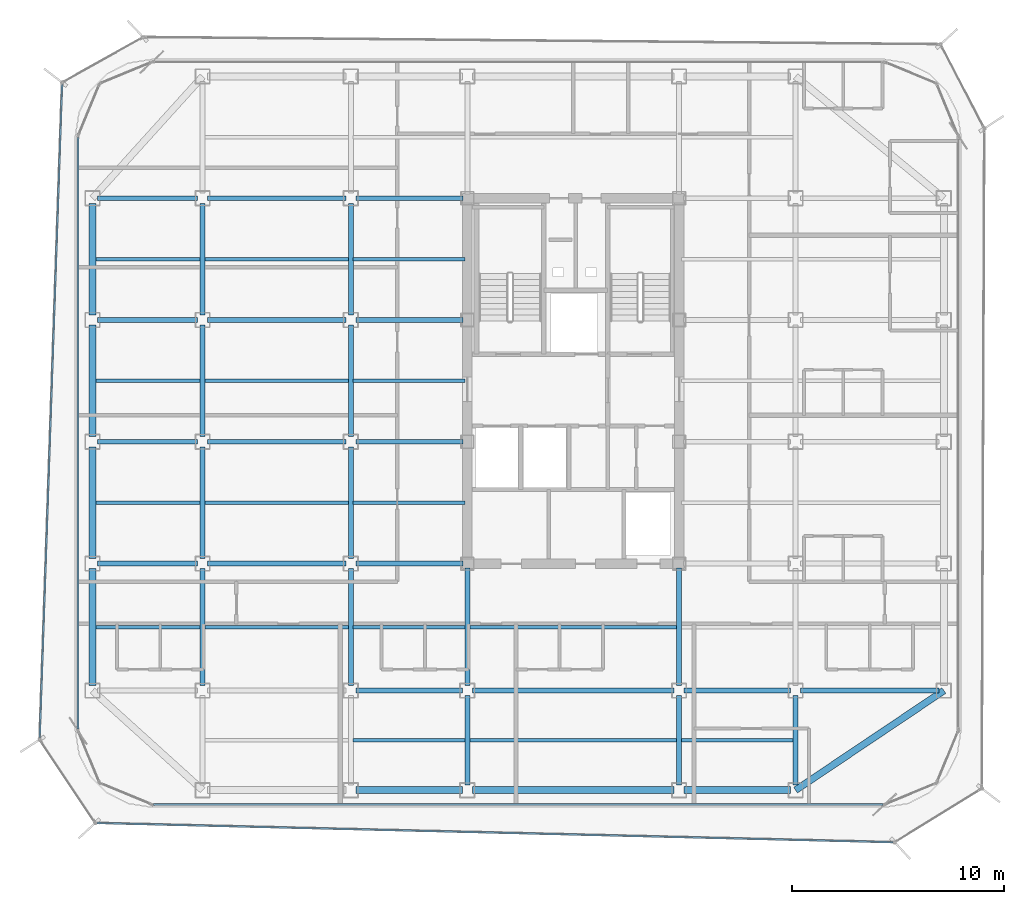
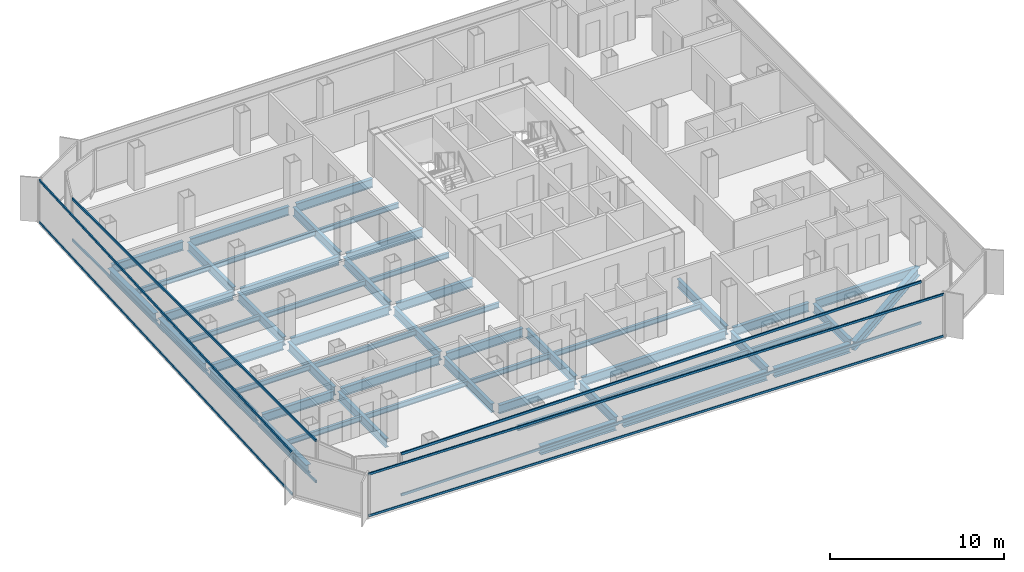
# One storey, part 3 of 15: 53 beams, 8 members, 4 elements without a shape of their own.
"""IFC4 building model written with IfcOpenShell, lengths in metres."""

from ifc_helpers import new_model, si_unit, direction, frame, origin, origin_2d, place, context, subcontext, project, spatial, hollow_rectangle, i_section, extrude, source, transform, mapped, material, layer, layer_set, material_profile, profile_set, type_object, element, aggregate, save


model = new_model("IFC4")

# Units and contexts
model_context = context("Model", 3, precision=1e-05, world=origin(), true_north=direction((0.0, 1.0)))
body_context = subcontext(model_context, "Body", "Model", "MODEL_VIEW")
ifc_project = project(units=[si_unit("LENGTHUNIT", "METRE"), si_unit("AREAUNIT", "SQUARE_METRE"), si_unit("VOLUMEUNIT", "CUBIC_METRE"), si_unit("PLANEANGLEUNIT", "RADIAN"), si_unit("MASSUNIT", "GRAM", prefix="KILO")], contexts=[model_context])

# Site, building, storey
site_placement = place(None, origin())
site = spatial("IfcSite", under=ifc_project, at=site_placement, CompositionType="ELEMENT")
building_placement = place(site_placement, origin())
building = spatial("IfcBuilding", under=site, at=building_placement, Name="Kolveth Station Tower", CompositionType="ELEMENT")
storey_placement = place(building_placement, frame((0.0, 0.0, 165.699951171875)))
storey = spatial("IfcBuildingStorey", under=building, at=storey_placement, Name="L46", CompositionType="ELEMENT", Elevation=165.699951171875)

# Beams
ifc_material_1 = material(Name="Steel S355", Category="steel")
ifc_material_profile_1 = material_profile(ifc_material_1, i_section(OverallWidth=0.323974609375, OverallDepth=0.611083984375, WebThickness=0.0126953125, FlangeThickness=0.01904296875, at=origin_2d()), Name="W610x155")
ifc_profile_set_1 = profile_set([ifc_material_profile_1], Name="Steel S355")
beam_type_1 = type_object("IfcBeamType", Name="Beam_SP2", PredefinedType="SPANDREL", material=ifc_profile_set_1)
shared_shape_1 = source(origin(), body_context, "Body", "SweptSolid", [
    extrude(i_section(OverallWidth=0.323974609375, OverallDepth=0.611083984375, WebThickness=0.0126953125, FlangeThickness=0.01904296875, at=origin_2d()), origin(), (0.0, 0.0, 1.0), 5.02001953125),
])
for number, where, z_axis, x_axis, name in (
    (1, (13.239990234375, 0.800048828125, -0.555419921875), (1.0, 0.0, 0.0), (0.0, 1.0, 0.0), "L46 Perimeter Spandrel BM-L46-PS-2"),
    (2, (28.739990234375, 0.800048828125, -0.555419921875), (1.0, 0.0, 0.0), (0.0, 1.0, 0.0), "L46 Perimeter Spandrel BM-L46-PS-4"),
):
    element("IfcBeam", number, at=place(storey_placement, frame(where, z_axis=z_axis, x_axis=x_axis)), inside=storey, type_object=beam_type_1, Name=name, PredefinedType="SPANDREL", context=body_context, shape_type="MappedRepresentation", body=[
        mapped(shared_shape_1, transform((0.0, 0.0, 0.0), x_axis=(1.0, 0.0, 0.0), y_axis=(0.0, 1.0, 0.0), z_axis=(0.0, 0.0, 1.0), scale=1.0)),
    ])
shared_shape_2 = source(origin(), body_context, "Body", "SweptSolid", [
    extrude(i_section(OverallWidth=0.323974609375, OverallDepth=0.611083984375, WebThickness=0.0126953125, FlangeThickness=0.01904296875, at=origin_2d()), origin(), (0.0, 0.0, 1.0), 9.52001953125),
])
beam_1_placement = place(storey_placement, frame((18.739990234375, 0.800048828125, -0.555419921875), z_axis=(1.0, 0.0, 0.0), x_axis=(0.0, 1.0, 0.0)))
element("IfcBeam", 3, at=beam_1_placement, inside=storey, type_object=beam_type_1, Name="L46 Perimeter Spandrel BM-L46-PS-3", PredefinedType="SPANDREL", context=body_context, shape_type="MappedRepresentation", body=[
    mapped(shared_shape_2, transform((0.0, 0.0, 0.0), x_axis=(1.0, 0.0, 0.0), y_axis=(0.0, 1.0, 0.0), z_axis=(0.0, 0.0, 1.0), scale=1.0)),
])
shared_shape_3 = source(origin(), body_context, "Body", "SweptSolid", [
    extrude(i_section(OverallWidth=0.323974609375, OverallDepth=0.611083984375, WebThickness=0.0126953125, FlangeThickness=0.01904296875, at=origin_2d()), origin(), (0.0, 0.0, 1.0), 5.52001953125),
])
beam_2_placement = place(storey_placement, frame((0.800048828125, 5.739990234375, -0.555419921875), z_axis=(0.0, 1.0, 0.0), x_axis=(-1.0, 0.0, 0.0)))
element("IfcBeam", 4, at=beam_2_placement, inside=storey, type_object=beam_type_1, Name="L46 Perimeter Spandrel BM-L46-PW-1", PredefinedType="SPANDREL", context=body_context, shape_type="MappedRepresentation", body=[
    mapped(shared_shape_3, transform((0.0, 0.0, 0.0), x_axis=(1.0, 0.0, 0.0), y_axis=(0.0, 1.0, 0.0), z_axis=(0.0, 0.0, 1.0), scale=1.0)),
])
shared_shape_4 = source(origin(), body_context, "Body", "SweptSolid", [
    extrude(i_section(OverallWidth=0.323974609375, OverallDepth=0.611083984375, WebThickness=0.0126953125, FlangeThickness=0.01904296875, at=origin_2d()), origin(), (0.0, 0.0, 1.0), 5.27001953125),
])
for number, where, z_axis, x_axis, name in (
    (5, (0.800048828125, 11.739990234375, -0.555419921875), (0.0, 1.0, 0.0), (-1.0, 0.0, 0.0), "L46 Perimeter Spandrel BM-L46-PW-2"),
    (6, (0.800048828125, 17.489990234375, -0.555419921875), (0.0, 1.0, 0.0), (-1.0, 0.0, 0.0), "L46 Perimeter Spandrel BM-L46-PW-3"),
    (7, (0.800048828125, 23.239990234375, -0.555419921875), (0.0, 1.0, 0.0), (-1.0, 0.0, 0.0), "L46 Perimeter Spandrel BM-L46-PW-4"),
):
    element("IfcBeam", number, at=place(storey_placement, frame(where, z_axis=z_axis, x_axis=x_axis)), inside=storey, type_object=beam_type_1, Name=name, PredefinedType="SPANDREL", context=body_context, shape_type="MappedRepresentation", body=[
        mapped(shared_shape_4, transform((0.0, 0.0, 0.0), x_axis=(1.0, 0.0, 0.0), y_axis=(0.0, 1.0, 0.0), z_axis=(0.0, 0.0, 1.0), scale=1.0)),
    ])
shared_shape_5 = source(origin(), body_context, "Body", "SweptSolid", [
    extrude(i_section(OverallWidth=0.323974609375, OverallDepth=0.611083984375, WebThickness=0.0126953125, FlangeThickness=0.01904296875, at=origin_2d()), origin(), (0.0, 0.0, 1.0), 8.431396484375),
])
beam_3_placement = place(storey_placement, frame((34.0, 0.800048828125, -0.555419921875), z_axis=(0.830223811004, 0.557430196206, 0.0), x_axis=(-0.557430196206, 0.830223811004, 0.0)))
element("IfcBeam", 8, at=beam_3_placement, inside=storey, type_object=beam_type_1, Name="L46 Corner Edge Girder BM-L46-CNR-SE", PredefinedType="SPANDREL", context=body_context, shape_type="MappedRepresentation", body=[
    mapped(shared_shape_5, transform((0.0, 0.0, 0.0), x_axis=(1.0, 0.0, 0.0), y_axis=(0.0, 1.0, 0.0), z_axis=(0.0, 0.0, 1.0), scale=1.0)),
])
ifc_material_profile_2 = material_profile(ifc_material_1, i_section(OverallWidth=0.22900390625, OverallDepth=0.612060546875, WebThickness=0.011962890625, FlangeThickness=0.01953125, at=origin_2d()), Name="W610x125")
ifc_profile_set_2 = profile_set([ifc_material_profile_2], Name="Steel S355")
beam_type_2 = type_object("IfcBeamType", Name="Beam_B5", PredefinedType="BEAM", material=ifc_profile_set_2)
shared_shape_6 = source(origin(), body_context, "Body", "SweptSolid", [
    extrude(i_section(OverallWidth=0.22900390625, OverallDepth=0.612060546875, WebThickness=0.011962890625, FlangeThickness=0.01953125, at=origin_2d()), origin(), (0.0, 0.0, 1.0), 4.719970703125),
])
for number, where, z_axis, x_axis, name in (
    (9, (1.0400390625, 11.5, -0.555908203125), (1.0, 0.0, 0.0), (0.0, 1.0, 0.0), "L46 Primary Girder BM-L46-GY115-1"),
    (10, (1.0400390625, 17.25, -0.555908203125), (1.0, 0.0, 0.0), (0.0, 1.0, 0.0), "L46 Primary Girder BM-L46-GY172-1"),
    (11, (1.0400390625, 23.0, -0.555908203125), (1.0, 0.0, 0.0), (0.0, 1.0, 0.0), "L46 Primary Girder BM-L46-GY230-1"),
    (12, (1.0400390625, 28.75, -0.555908203125), (1.0, 0.0, 0.0), (0.0, 1.0, 0.0), "L46 Primary Girder BM-L46-GY287-1"),
):
    element("IfcBeam", number, at=place(storey_placement, frame(where, z_axis=z_axis, x_axis=x_axis)), inside=storey, type_object=beam_type_2, Name=name, PredefinedType="BEAM", context=body_context, shape_type="MappedRepresentation", body=[
        mapped(shared_shape_6, transform((0.0, 0.0, 0.0), x_axis=(1.0, 0.0, 0.0), y_axis=(0.0, 1.0, 0.0), z_axis=(0.0, 0.0, 1.0), scale=1.0)),
    ])
shared_shape_7 = source(origin(), body_context, "Body", "SweptSolid", [
    extrude(i_section(OverallWidth=0.22900390625, OverallDepth=0.612060546875, WebThickness=0.011962890625, FlangeThickness=0.01953125, at=origin_2d()), origin(), (0.0, 0.0, 1.0), 6.52001953125),
])
for number, where, z_axis, x_axis, name in (
    (13, (34.239990234375, 5.5, -0.555908203125), (1.0, 0.0, 0.0), (0.0, 1.0, 0.0), "L46 Primary Girder BM-L46-GY55-6"),
    (14, (6.239990234375, 11.5, -0.555908203125), (1.0, 0.0, 0.0), (0.0, 1.0, 0.0), "L46 Primary Girder BM-L46-GY115-2"),
    (15, (6.239990234375, 17.25, -0.555908203125), (1.0, 0.0, 0.0), (0.0, 1.0, 0.0), "L46 Primary Girder BM-L46-GY172-2"),
    (16, (6.239990234375, 23.0, -0.555908203125), (1.0, 0.0, 0.0), (0.0, 1.0, 0.0), "L46 Primary Girder BM-L46-GY230-2"),
    (17, (6.239990234375, 28.75, -0.555908203125), (1.0, 0.0, 0.0), (0.0, 1.0, 0.0), "L46 Primary Girder BM-L46-GY287-2"),
):
    element("IfcBeam", number, at=place(storey_placement, frame(where, z_axis=z_axis, x_axis=x_axis)), inside=storey, type_object=beam_type_2, Name=name, PredefinedType="BEAM", context=body_context, shape_type="MappedRepresentation", body=[
        mapped(shared_shape_7, transform((0.0, 0.0, 0.0), x_axis=(1.0, 0.0, 0.0), y_axis=(0.0, 1.0, 0.0), z_axis=(0.0, 0.0, 1.0), scale=1.0)),
    ])
shared_shape_8 = source(origin(), body_context, "Body", "SweptSolid", [
    extrude(i_section(OverallWidth=0.22900390625, OverallDepth=0.612060546875, WebThickness=0.011962890625, FlangeThickness=0.01953125, at=origin_2d()), origin(), (0.0, 0.0, 1.0), 5.02001953125),
])
for number, where, z_axis, x_axis, name in (
    (18, (13.239990234375, 5.5, -0.555908203125), (1.0, 0.0, 0.0), (0.0, 1.0, 0.0), "L46 Primary Girder BM-L46-GY55-3"),
    (19, (28.739990234375, 5.5, -0.555908203125), (1.0, 0.0, 0.0), (0.0, 1.0, 0.0), "L46 Primary Girder BM-L46-GY55-5"),
):
    element("IfcBeam", number, at=place(storey_placement, frame(where, z_axis=z_axis, x_axis=x_axis)), inside=storey, type_object=beam_type_2, Name=name, PredefinedType="BEAM", context=body_context, shape_type="MappedRepresentation", body=[
        mapped(shared_shape_8, transform((0.0, 0.0, 0.0), x_axis=(1.0, 0.0, 0.0), y_axis=(0.0, 1.0, 0.0), z_axis=(0.0, 0.0, 1.0), scale=1.0)),
    ])
shared_shape_9 = source(origin(), body_context, "Body", "SweptSolid", [
    extrude(i_section(OverallWidth=0.22900390625, OverallDepth=0.612060546875, WebThickness=0.011962890625, FlangeThickness=0.01953125, at=origin_2d()), origin(), (0.0, 0.0, 1.0), 9.52001953125),
])
beam_4_placement = place(storey_placement, frame((18.739990234375, 5.5, -0.555908203125), z_axis=(1.0, 0.0, 0.0), x_axis=(0.0, 1.0, 0.0)))
element("IfcBeam", 20, at=beam_4_placement, inside=storey, type_object=beam_type_2, Name="L46 Primary Girder BM-L46-GY55-4", PredefinedType="BEAM", context=body_context, shape_type="MappedRepresentation", body=[
    mapped(shared_shape_9, transform((0.0, 0.0, 0.0), x_axis=(1.0, 0.0, 0.0), y_axis=(0.0, 1.0, 0.0), z_axis=(0.0, 0.0, 1.0), scale=1.0)),
])
shared_shape_10 = source(origin(), body_context, "Body", "SweptSolid", [
    extrude(i_section(OverallWidth=0.22900390625, OverallDepth=0.612060546875, WebThickness=0.011962890625, FlangeThickness=0.01953125, at=origin_2d()), origin(), (0.0, 0.0, 1.0), 5.06005859375),
])
for number, where, z_axis, x_axis, name in (
    (21, (13.239990234375, 11.5, -0.555908203125), (1.0, 0.0, 0.0), (0.0, 1.0, 0.0), "L46 Primary Girder BM-L46-GY115-3"),
    (22, (13.239990234375, 17.25, -0.555908203125), (1.0, 0.0, 0.0), (0.0, 1.0, 0.0), "L46 Primary Girder BM-L46-GY172-3"),
    (23, (13.239990234375, 23.0, -0.555908203125), (1.0, 0.0, 0.0), (0.0, 1.0, 0.0), "L46 Primary Girder BM-L46-GY230-3"),
    (24, (13.239990234375, 28.75, -0.555908203125), (1.0, 0.0, 0.0), (0.0, 1.0, 0.0), "L46 Primary Girder BM-L46-GY287-3"),
):
    element("IfcBeam", number, at=place(storey_placement, frame(where, z_axis=z_axis, x_axis=x_axis)), inside=storey, type_object=beam_type_2, Name=name, PredefinedType="BEAM", context=body_context, shape_type="MappedRepresentation", body=[
        mapped(shared_shape_10, transform((0.0, 0.0, 0.0), x_axis=(1.0, 0.0, 0.0), y_axis=(0.0, 1.0, 0.0), z_axis=(0.0, 0.0, 1.0), scale=1.0)),
    ])
shared_shape_11 = source(origin(), body_context, "Body", "SweptSolid", [
    extrude(i_section(OverallWidth=0.22900390625, OverallDepth=0.612060546875, WebThickness=0.011962890625, FlangeThickness=0.01953125, at=origin_2d()), origin(), (0.0, 0.0, 1.0), 4.219970703125),
])
for number, where, z_axis, x_axis, name in (
    (25, (18.5, 1.0400390625, -0.555908203125), (0.0, 1.0, 0.0), (-1.0, 0.0, 0.0), "L46 Primary Girder BM-L46-GX185-1"),
    (26, (28.5, 1.0400390625, -0.555908203125), (0.0, 1.0, 0.0), (-1.0, 0.0, 0.0), "L46 Primary Girder BM-L46-GX285-1"),
    (27, (34.0, 1.0400390625, -0.555908203125), (0.0, 1.0, 0.0), (-1.0, 0.0, 0.0), "L46 Primary Girder BM-L46-GX340-1"),
):
    element("IfcBeam", number, at=place(storey_placement, frame(where, z_axis=z_axis, x_axis=x_axis)), inside=storey, type_object=beam_type_2, Name=name, PredefinedType="BEAM", context=body_context, shape_type="MappedRepresentation", body=[
        mapped(shared_shape_11, transform((0.0, 0.0, 0.0), x_axis=(1.0, 0.0, 0.0), y_axis=(0.0, 1.0, 0.0), z_axis=(0.0, 0.0, 1.0), scale=1.0)),
    ])
shared_shape_12 = source(origin(), body_context, "Body", "SweptSolid", [
    extrude(i_section(OverallWidth=0.22900390625, OverallDepth=0.612060546875, WebThickness=0.011962890625, FlangeThickness=0.01953125, at=origin_2d()), origin(), (0.0, 0.0, 1.0), 5.52001953125),
])
for number, where, z_axis, x_axis, name in (
    (28, (6.0, 5.739990234375, -0.555908203125), (0.0, 1.0, 0.0), (-1.0, 0.0, 0.0), "L46 Primary Girder BM-L46-GX60-2"),
    (29, (13.0, 5.739990234375, -0.555908203125), (0.0, 1.0, 0.0), (-1.0, 0.0, 0.0), "L46 Primary Girder BM-L46-GX130-2"),
):
    element("IfcBeam", number, at=place(storey_placement, frame(where, z_axis=z_axis, x_axis=x_axis)), inside=storey, type_object=beam_type_2, Name=name, PredefinedType="BEAM", context=body_context, shape_type="MappedRepresentation", body=[
        mapped(shared_shape_12, transform((0.0, 0.0, 0.0), x_axis=(1.0, 0.0, 0.0), y_axis=(0.0, 1.0, 0.0), z_axis=(0.0, 0.0, 1.0), scale=1.0)),
    ])
shared_shape_13 = source(origin(), body_context, "Body", "SweptSolid", [
    extrude(i_section(OverallWidth=0.22900390625, OverallDepth=0.612060546875, WebThickness=0.011962890625, FlangeThickness=0.01953125, at=origin_2d()), origin(), (0.0, 0.0, 1.0), 5.27001953125),
])
for number, where, z_axis, x_axis, name in (
    (30, (6.0, 11.739990234375, -0.555908203125), (0.0, 1.0, 0.0), (-1.0, 0.0, 0.0), "L46 Primary Girder BM-L46-GX60-3"),
    (31, (6.0, 17.489990234375, -0.555908203125), (0.0, 1.0, 0.0), (-1.0, 0.0, 0.0), "L46 Primary Girder BM-L46-GX60-4"),
    (32, (6.0, 23.239990234375, -0.555908203125), (0.0, 1.0, 0.0), (-1.0, 0.0, 0.0), "L46 Primary Girder BM-L46-GX60-5"),
    (33, (13.0, 11.739990234375, -0.555908203125), (0.0, 1.0, 0.0), (-1.0, 0.0, 0.0), "L46 Primary Girder BM-L46-GX130-3"),
    (34, (13.0, 17.489990234375, -0.555908203125), (0.0, 1.0, 0.0), (-1.0, 0.0, 0.0), "L46 Primary Girder BM-L46-GX130-4"),
    (35, (13.0, 23.239990234375, -0.555908203125), (0.0, 1.0, 0.0), (-1.0, 0.0, 0.0), "L46 Primary Girder BM-L46-GX130-5"),
):
    element("IfcBeam", number, at=place(storey_placement, frame(where, z_axis=z_axis, x_axis=x_axis)), inside=storey, type_object=beam_type_2, Name=name, PredefinedType="BEAM", context=body_context, shape_type="MappedRepresentation", body=[
        mapped(shared_shape_13, transform((0.0, 0.0, 0.0), x_axis=(1.0, 0.0, 0.0), y_axis=(0.0, 1.0, 0.0), z_axis=(0.0, 0.0, 1.0), scale=1.0)),
    ])
shared_shape_14 = source(origin(), body_context, "Body", "SweptSolid", [
    extrude(i_section(OverallWidth=0.22900390625, OverallDepth=0.612060546875, WebThickness=0.011962890625, FlangeThickness=0.01953125, at=origin_2d()), origin(), (0.0, 0.0, 1.0), 5.56005859375),
])
for number, where, z_axis, x_axis, name in (
    (36, (18.5, 5.739990234375, -0.555908203125), (0.0, 1.0, 0.0), (-1.0, 0.0, 0.0), "L46 Primary Girder BM-L46-GX185-2"),
    (37, (28.5, 5.739990234375, -0.555908203125), (0.0, 1.0, 0.0), (-1.0, 0.0, 0.0), "L46 Primary Girder BM-L46-GX285-2"),
):
    element("IfcBeam", number, at=place(storey_placement, frame(where, z_axis=z_axis, x_axis=x_axis)), inside=storey, type_object=beam_type_2, Name=name, PredefinedType="BEAM", context=body_context, shape_type="MappedRepresentation", body=[
        mapped(shared_shape_14, transform((0.0, 0.0, 0.0), x_axis=(1.0, 0.0, 0.0), y_axis=(0.0, 1.0, 0.0), z_axis=(0.0, 0.0, 1.0), scale=1.0)),
    ])
ifc_material_profile_3 = material_profile(ifc_material_1, i_section(OverallWidth=0.1708984375, OverallDepth=0.35205078125, WebThickness=0.0068359375, FlangeThickness=0.009765625, at=origin_2d()), Name="W360x44")
ifc_profile_set_3 = profile_set([ifc_material_profile_3], Name="Steel S355")
beam_type_3 = type_object("IfcBeamType", Name="Beam_J2", PredefinedType="JOIST", material=ifc_profile_set_3)
shared_shape_15 = source(origin(), body_context, "Body", "SweptSolid", [
    extrude(i_section(OverallWidth=0.1708984375, OverallDepth=0.35205078125, WebThickness=0.0068359375, FlangeThickness=0.009765625, at=origin_2d()), origin(), (0.0, 0.0, 1.0), 4.927490234375),
])
for number, where, z_axis, x_axis, name in (
    (38, (0.9599609375, 8.5, -0.426025390625), (1.0, 0.0, 0.0), (0.0, 1.0, 0.0), "L46 Secondary Joist JST-L46-1-2"),
    (39, (0.9599609375, 14.375, -0.426025390625), (1.0, 0.0, 0.0), (0.0, 1.0, 0.0), "L46 Secondary Joist JST-L46-1-3"),
    (40, (0.9599609375, 20.125, -0.426025390625), (1.0, 0.0, 0.0), (0.0, 1.0, 0.0), "L46 Secondary Joist JST-L46-1-4"),
    (41, (0.9599609375, 25.875, -0.426025390625), (1.0, 0.0, 0.0), (0.0, 1.0, 0.0), "L46 Secondary Joist JST-L46-1-5"),
):
    element("IfcBeam", number, at=place(storey_placement, frame(where, z_axis=z_axis, x_axis=x_axis)), inside=storey, type_object=beam_type_3, Name=name, PredefinedType="JOIST", context=body_context, shape_type="MappedRepresentation", body=[
        mapped(shared_shape_15, transform((0.0, 0.0, 0.0), x_axis=(1.0, 0.0, 0.0), y_axis=(0.0, 1.0, 0.0), z_axis=(0.0, 0.0, 1.0), scale=1.0)),
    ])
shared_shape_16 = source(origin(), body_context, "Body", "SweptSolid", [
    extrude(i_section(OverallWidth=0.1708984375, OverallDepth=0.35205078125, WebThickness=0.0068359375, FlangeThickness=0.009765625, at=origin_2d()), origin(), (0.0, 0.0, 1.0), 6.77490234375),
])
for number, where, z_axis, x_axis, name in (
    (42, (6.112548828125, 8.5, -0.426025390625), (1.0, 0.0, 0.0), (0.0, 1.0, 0.0), "L46 Secondary Joist JST-L46-2-2"),
    (43, (6.112548828125, 14.375, -0.426025390625), (1.0, 0.0, 0.0), (0.0, 1.0, 0.0), "L46 Secondary Joist JST-L46-2-3"),
    (44, (6.112548828125, 20.125, -0.426025390625), (1.0, 0.0, 0.0), (0.0, 1.0, 0.0), "L46 Secondary Joist JST-L46-2-4"),
    (45, (6.112548828125, 25.875, -0.426025390625), (1.0, 0.0, 0.0), (0.0, 1.0, 0.0), "L46 Secondary Joist JST-L46-2-5"),
):
    element("IfcBeam", number, at=place(storey_placement, frame(where, z_axis=z_axis, x_axis=x_axis)), inside=storey, type_object=beam_type_3, Name=name, PredefinedType="JOIST", context=body_context, shape_type="MappedRepresentation", body=[
        mapped(shared_shape_16, transform((0.0, 0.0, 0.0), x_axis=(1.0, 0.0, 0.0), y_axis=(0.0, 1.0, 0.0), z_axis=(0.0, 0.0, 1.0), scale=1.0)),
    ])
shared_shape_17 = source(origin(), body_context, "Body", "SweptSolid", [
    extrude(i_section(OverallWidth=0.1708984375, OverallDepth=0.35205078125, WebThickness=0.0068359375, FlangeThickness=0.009765625, at=origin_2d()), origin(), (0.0, 0.0, 1.0), 5.27490234375),
])
for number, where, z_axis, x_axis, name in (
    (46, (13.112548828125, 3.14990234375, -0.426025390625), (1.0, 0.0, 0.0), (0.0, 1.0, 0.0), "L46 Secondary Joist JST-L46-3-1"),
    (47, (13.112548828125, 8.5, -0.426025390625), (1.0, 0.0, 0.0), (0.0, 1.0, 0.0), "L46 Secondary Joist JST-L46-3-2"),
    (48, (13.112548828125, 14.375, -0.426025390625), (1.0, 0.0, 0.0), (0.0, 1.0, 0.0), "L46 Secondary Joist JST-L46-3-3"),
    (49, (13.112548828125, 20.125, -0.426025390625), (1.0, 0.0, 0.0), (0.0, 1.0, 0.0), "L46 Secondary Joist JST-L46-3-4"),
    (50, (13.112548828125, 25.875, -0.426025390625), (1.0, 0.0, 0.0), (0.0, 1.0, 0.0), "L46 Secondary Joist JST-L46-3-5"),
    (51, (28.612548828125, 3.14990234375, -0.426025390625), (1.0, 0.0, 0.0), (0.0, 1.0, 0.0), "L46 Secondary Joist JST-L46-5-1"),
):
    element("IfcBeam", number, at=place(storey_placement, frame(where, z_axis=z_axis, x_axis=x_axis)), inside=storey, type_object=beam_type_3, Name=name, PredefinedType="JOIST", context=body_context, shape_type="MappedRepresentation", body=[
        mapped(shared_shape_17, transform((0.0, 0.0, 0.0), x_axis=(1.0, 0.0, 0.0), y_axis=(0.0, 1.0, 0.0), z_axis=(0.0, 0.0, 1.0), scale=1.0)),
    ])
shared_shape_18 = source(origin(), body_context, "Body", "SweptSolid", [
    extrude(i_section(OverallWidth=0.1708984375, OverallDepth=0.35205078125, WebThickness=0.0068359375, FlangeThickness=0.009765625, at=origin_2d()), origin(), (0.0, 0.0, 1.0), 9.77490234375),
])
for number, where, z_axis, x_axis, name in (
    (52, (18.612548828125, 3.14990234375, -0.426025390625), (1.0, 0.0, 0.0), (0.0, 1.0, 0.0), "L46 Secondary Joist JST-L46-4-1"),
    (53, (18.612548828125, 8.5, -0.426025390625), (1.0, 0.0, 0.0), (0.0, 1.0, 0.0), "L46 Secondary Joist JST-L46-4-2"),
):
    element("IfcBeam", number, at=place(storey_placement, frame(where, z_axis=z_axis, x_axis=x_axis)), inside=storey, type_object=beam_type_3, Name=name, PredefinedType="JOIST", context=body_context, shape_type="MappedRepresentation", body=[
        mapped(shared_shape_18, transform((0.0, 0.0, 0.0), x_axis=(1.0, 0.0, 0.0), y_axis=(0.0, 1.0, 0.0), z_axis=(0.0, 0.0, 1.0), scale=1.0)),
    ])

# Curtain wall, members
ifc_material_2 = material(Name="Aluminium 6063-T6 and low-E dark glass", Category="aluminium")
ifc_layer_1 = layer(ifc_material_2, 0.18994140625)
ifc_layer_set_1 = layer_set([ifc_layer_1], Name="Aluminium 6063-T6 and low-E dark glass")
curtain_wall_type_1 = type_object("IfcCurtainWallType", Name="CurtainWall_CW-Z2", PredefinedType="NOTDEFINED", material=ifc_layer_set_1)
curtain_wall_1_placement = place(storey_placement, origin())
curtain_wall_1 = element("IfcCurtainWall", 54, at=curtain_wall_1_placement, inside=storey, type_object=curtain_wall_type_1, Name="L46 Inner Thermal Curtain Wall 9", PredefinedType="NOTDEFINED")
ifc_material_3 = material(Name="Black anodized aluminium 6063-T6", Category="aluminium")
ifc_material_profile_4 = material_profile(ifc_material_3, hollow_rectangle(XDim=0.080078125, YDim=0.169921875, WallThickness=0.0048828125, at=origin_2d()), Name="ALU-80x170x5")
ifc_profile_set_4 = profile_set([ifc_material_profile_4], Name="Black anodized aluminium 6063-T6")
member_type_1 = type_object("IfcMemberType", Name="Transom_TR2", PredefinedType="USERDEFINED", material=ifc_profile_set_4)
shared_shape_19 = source(origin(), body_context, "Body", "SweptSolid", [
    extrude(hollow_rectangle(XDim=0.080078125, YDim=0.169921875, WallThickness=0.0048828125, at=origin_2d()), origin(), (0.0, 0.0, 1.0), 27.940185546875),
])
member_1_placement = place(storey_placement, frame((0.1201171875, 31.6201171875, 0.0400390625), z_axis=(0.0, -1.0, 0.0), x_axis=(1.0, 0.0, 0.0)))
member_1 = element("IfcMember", 55, at=member_1_placement, type_object=member_type_1, Name="CW-Z2 transom 1.1", ObjectType="TRANSOM", PredefinedType="USERDEFINED", context=body_context, shape_type="MappedRepresentation", body=[
    mapped(shared_shape_19, transform((0.0, 0.0, 0.0), x_axis=(1.0, 0.0, 0.0), y_axis=(0.0, 1.0, 0.0), z_axis=(0.0, 0.0, 1.0), scale=1.0)),
])
member_2_placement = place(storey_placement, frame((0.1201171875, 31.6201171875, 2.91015625), z_axis=(0.0, -1.0, 0.0), x_axis=(1.0, 0.0, 0.0)))
member_2 = element("IfcMember", 56, at=member_2_placement, type_object=member_type_1, Name="CW-Z2 transom 1.2", ObjectType="TRANSOM", PredefinedType="USERDEFINED", context=body_context, shape_type="MappedRepresentation", body=[
    mapped(shared_shape_19, transform((0.0, 0.0, 0.0), x_axis=(1.0, 0.0, 0.0), y_axis=(0.0, 1.0, 0.0), z_axis=(0.0, 0.0, 1.0), scale=1.0)),
])
aggregate(curtain_wall_1, [member_1, member_2])

curtain_wall_2_placement = place(storey_placement, origin())
curtain_wall_2 = element("IfcCurtainWall", 57, at=curtain_wall_2_placement, inside=storey, type_object=curtain_wall_type_1, Name="L46 Inner Thermal Curtain Wall 12", PredefinedType="NOTDEFINED")
shared_shape_20 = source(origin(), body_context, "Body", "SweptSolid", [
    extrude(hollow_rectangle(XDim=0.080078125, YDim=0.169921875, WallThickness=0.0048828125, at=origin_2d()), origin(), (0.0, 0.0, 1.0), 34.440185546875),
])
member_3_placement = place(storey_placement, frame((3.679931640625, 0.1201171875, 0.0400390625), z_axis=(1.0, 0.0, 0.0), x_axis=(0.0, 1.0, 0.0)))
member_3 = element("IfcMember", 58, at=member_3_placement, type_object=member_type_1, Name="CW-Z2 transom 1.1", ObjectType="TRANSOM", PredefinedType="USERDEFINED", context=body_context, shape_type="MappedRepresentation", body=[
    mapped(shared_shape_20, transform((0.0, 0.0, 0.0), x_axis=(1.0, 0.0, 0.0), y_axis=(0.0, 1.0, 0.0), z_axis=(0.0, 0.0, 1.0), scale=1.0)),
])
member_4_placement = place(storey_placement, frame((3.679931640625, 0.1201171875, 2.91015625), z_axis=(1.0, 0.0, 0.0), x_axis=(0.0, 1.0, 0.0)))
member_4 = element("IfcMember", 59, at=member_4_placement, type_object=member_type_1, Name="CW-Z2 transom 1.2", ObjectType="TRANSOM", PredefinedType="USERDEFINED", context=body_context, shape_type="MappedRepresentation", body=[
    mapped(shared_shape_20, transform((0.0, 0.0, 0.0), x_axis=(1.0, 0.0, 0.0), y_axis=(0.0, 1.0, 0.0), z_axis=(0.0, 0.0, 1.0), scale=1.0)),
])
aggregate(curtain_wall_2, [member_3, member_4])

ifc_material_4 = material(Name="Black anodized aluminium 6063-T6 and dark solar glass", Category="aluminium")
ifc_layer_2 = layer(ifc_material_4, 0.159912109375)
ifc_layer_set_2 = layer_set([ifc_layer_2], Name="Black anodized aluminium 6063-T6 and dark solar glass")
curtain_wall_type_2 = type_object("IfcCurtainWallType", Name="OUTER SKIN CW-OS", PredefinedType="NOTDEFINED", material=ifc_layer_set_2)
curtain_wall_3_placement = place(storey_placement, origin())
curtain_wall_3 = element("IfcCurtainWall", 60, at=curtain_wall_3_placement, inside=storey, type_object=curtain_wall_type_2, Name="L46 Outer Ventilated Skin Curtain Wall 6", PredefinedType="NOTDEFINED")
ifc_material_profile_5 = material_profile(ifc_material_3, hollow_rectangle(XDim=0.080078125, YDim=0.14990234375, WallThickness=0.0048828125, at=origin_2d()), Name="ALU-80x150x5")
ifc_profile_set_5 = profile_set([ifc_material_profile_5], Name="Black anodized aluminium 6063-T6")
member_type_2 = type_object("IfcMemberType", Name="Transom_TR-OS", PredefinedType="USERDEFINED", material=ifc_profile_set_5)
shared_shape_21 = source(origin(), body_context, "Body", "SweptSolid", [
    extrude(hollow_rectangle(XDim=0.080078125, YDim=0.14990234375, WallThickness=0.0048828125, at=origin_2d()), origin(), (0.0, 0.0, 1.0), 30.864501953125),
])
member_5_placement = place(storey_placement, frame((-0.633544921875, 34.120849609375, 0.0400390625), z_axis=(-0.034218988316, -0.999414358932, 0.0), x_axis=(0.999414358932, -0.034218988316, 0.0)))
member_5 = element("IfcMember", 61, at=member_5_placement, type_object=member_type_2, Name="CW-OS transom 1.1", ObjectType="TRANSOM", PredefinedType="USERDEFINED", context=body_context, shape_type="MappedRepresentation", body=[
    mapped(shared_shape_21, transform((0.0, 0.0, 0.0), x_axis=(1.0, 0.0, 0.0), y_axis=(0.0, 1.0, 0.0), z_axis=(0.0, 0.0, 1.0), scale=1.0)),
])
member_6_placement = place(storey_placement, frame((-0.633544921875, 34.120849609375, 2.949951171875), z_axis=(-0.034218988316, -0.999414358932, 0.0), x_axis=(0.999414358932, -0.034218988316, 0.0)))
member_6 = element("IfcMember", 62, at=member_6_placement, type_object=member_type_2, Name="CW-OS transom 1.2", ObjectType="TRANSOM", PredefinedType="USERDEFINED", context=body_context, shape_type="MappedRepresentation", body=[
    mapped(shared_shape_21, transform((0.0, 0.0, 0.0), x_axis=(1.0, 0.0, 0.0), y_axis=(0.0, 1.0, 0.0), z_axis=(0.0, 0.0, 1.0), scale=1.0)),
])
aggregate(curtain_wall_3, [member_5, member_6])

curtain_wall_4_placement = place(storey_placement, origin())
curtain_wall_4 = element("IfcCurtainWall", 63, at=curtain_wall_4_placement, inside=storey, type_object=curtain_wall_type_2, Name="L46 Outer Ventilated Skin Curtain Wall 8", PredefinedType="NOTDEFINED")
shared_shape_22 = source(origin(), body_context, "Body", "SweptSolid", [
    extrude(hollow_rectangle(XDim=0.080078125, YDim=0.14990234375, WallThickness=0.0048828125, at=origin_2d()), origin(), (0.0, 0.0, 1.0), 37.57666015625),
])
member_7_placement = place(storey_placement, frame((1.024169921875, -0.75146484375, 0.0400390625), z_axis=(0.999708192544, -0.02415636067, 0.0), x_axis=(0.02415636067, 0.999708192544, 0.0)))
member_7 = element("IfcMember", 64, at=member_7_placement, type_object=member_type_2, Name="CW-OS transom 1.1", ObjectType="TRANSOM", PredefinedType="USERDEFINED", context=body_context, shape_type="MappedRepresentation", body=[
    mapped(shared_shape_22, transform((0.0, 0.0, 0.0), x_axis=(1.0, 0.0, 0.0), y_axis=(0.0, 1.0, 0.0), z_axis=(0.0, 0.0, 1.0), scale=1.0)),
])
member_8_placement = place(storey_placement, frame((1.024169921875, -0.75146484375, 2.949951171875), z_axis=(0.999708192544, -0.02415636067, 0.0), x_axis=(0.02415636067, 0.999708192544, 0.0)))
member_8 = element("IfcMember", 65, at=member_8_placement, type_object=member_type_2, Name="CW-OS transom 1.2", ObjectType="TRANSOM", PredefinedType="USERDEFINED", context=body_context, shape_type="MappedRepresentation", body=[
    mapped(shared_shape_22, transform((0.0, 0.0, 0.0), x_axis=(1.0, 0.0, 0.0), y_axis=(0.0, 1.0, 0.0), z_axis=(0.0, 0.0, 1.0), scale=1.0)),
])
aggregate(curtain_wall_4, [member_7, member_8])

save(model, "model.ifc")
